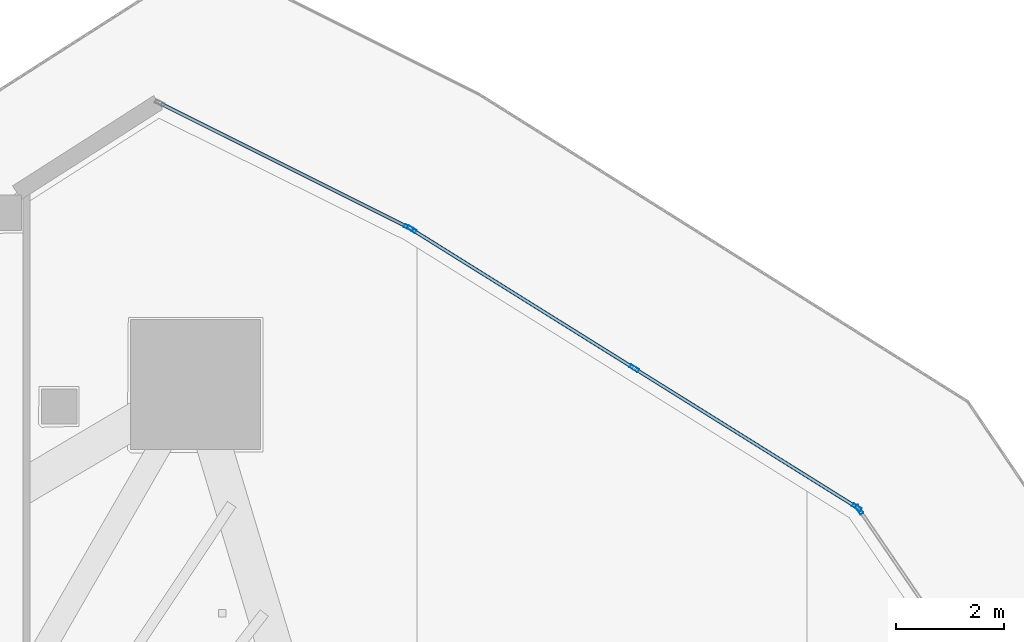
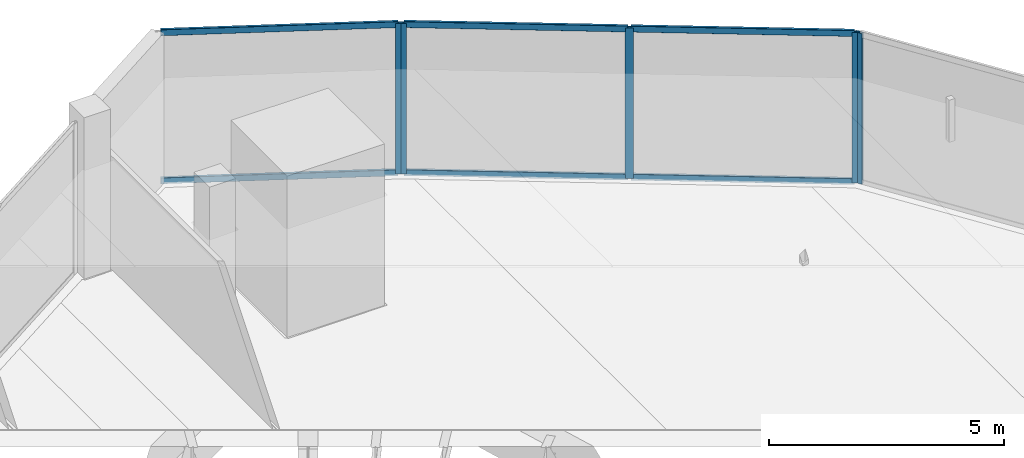
# One storey, part 22 of 44: 11 members, 3 elements without a shape of their own.
"""IFC4 building model written with IfcOpenShell, lengths in metres."""

import ifcopenshell
import ifcopenshell.guid

model = None  # the IFC model being written
_history = None  # IfcOwnerHistory: only IFC2X3 demands one
_inside = {}  # id of a spatial element -> (the spatial element, [elements in it])
_under = {}  # id of a project, library or spatial element -> (it, [spatial elements below it])
_declared = {}  # id of a project -> (the project, [libraries it declares])
_typed = {}  # id of a type object -> (the type object, [elements of that type])
_made_of = {}  # id of a material, layer set ... -> (it, [elements and type objects made of it])


def new_model(schema):
    """Start an empty IFC model of exactly this schema.

    Asked for "IFC4X3", IfcOpenShell would pick the latest addendum, in which some entities
    have other attributes; the version numbers below select the first issue.
    IFC2X3 requires an IfcOwnerHistory on every rooted entity: one is made here for all.
    """
    global model, _history
    if schema == "IFC4X3":
        model = ifcopenshell.file(schema_version=(4, 3, 0, 0))
    else:
        model = ifcopenshell.file(schema=schema)
    _inside.clear()
    _under.clear()
    _declared.clear()
    _typed.clear()
    _made_of.clear()
    _history = None
    if model.schema == "IFC2X3":
        org = make("IfcOrganization", Name="unknown")
        user = make(
            "IfcPersonAndOrganization",
            ThePerson=make("IfcPerson", FamilyName="unknown"),
            TheOrganization=org,
        )
        app = make(
            "IfcApplication",
            ApplicationDeveloper=org,
            Version="unknown",
            ApplicationFullName="unknown",
            ApplicationIdentifier="unknown",
        )
        _history = make(
            "IfcOwnerHistory",
            OwningUser=user,
            OwningApplication=app,
            ChangeAction="ADDED",
            CreationDate=0,
        )
    return model


def make(cls, **values):
    """One entity of the class cls with the attributes given. An attribute that is None is left unset."""
    return model.create_entity(
        cls, **{name: value for name, value in values.items() if value is not None}
    )


def rooted(cls, **values):
    """An entity with a GlobalId (a new one), such as an element, a storey or a relation."""
    return make(cls, GlobalId=ifcopenshell.guid.new(), OwnerHistory=_history, **values)


def si_unit(unit_type, name, prefix=None):
    """IfcSIUnit, for example si_unit("LENGTHUNIT", "METRE", prefix="MILLI")."""
    return make("IfcSIUnit", UnitType=unit_type, Prefix=prefix, Name=name)


def assignment(units):
    """IfcUnitAssignment: the units of a project."""
    return None if units is None else make("IfcUnitAssignment", Units=units)


def point(xyz):
    """IfcCartesianPoint."""
    return None if xyz is None else make("IfcCartesianPoint", Coordinates=xyz)


def direction(xyz):
    """IfcDirection."""
    return None if xyz is None else make("IfcDirection", DirectionRatios=xyz)


def frame(location, z_axis=None, x_axis=None):
    """IfcAxis2Placement3D, a coordinate frame: its origin and axes. An axis left out is left unset."""
    return make(
        "IfcAxis2Placement3D",
        Location=point(location),
        Axis=direction(z_axis),
        RefDirection=direction(x_axis),
    )


def frame_2d(location, x_axis=None):
    """IfcAxis2Placement2D, a coordinate frame in the plane: its origin and x axis."""
    return make(
        "IfcAxis2Placement2D", Location=point(location), RefDirection=direction(x_axis)
    )


def origin():
    """The frame at (0, 0, 0) with its axes left unset."""
    return frame((0.0, 0.0, 0.0))


def origin_2d():
    """The frame at (0, 0) in the plane with its x axis left unset."""
    return frame_2d((0.0, 0.0))


def place(relative_to, where):
    """IfcLocalPlacement: puts the frame where relative to a parent placement (None: the world)."""
    return make(
        "IfcLocalPlacement", PlacementRelTo=relative_to, RelativePlacement=where
    )


def context(
    kind, dimensions, precision=None, world=None, true_north=None, identifier=None
):
    """IfcGeometricRepresentationContext, for example the 3D "Model" context."""
    return make(
        "IfcGeometricRepresentationContext",
        ContextIdentifier=identifier,
        ContextType=kind,
        CoordinateSpaceDimension=dimensions,
        Precision=precision,
        WorldCoordinateSystem=world,
        TrueNorth=true_north,
    )


def subcontext(parent, identifier, kind, view, scale=None):
    """IfcGeometricRepresentationSubContext, for example "Body" below "Model"."""
    return make(
        "IfcGeometricRepresentationSubContext",
        ContextIdentifier=identifier,
        ContextType=kind,
        ParentContext=parent,
        TargetScale=scale,
        TargetView=view,
    )


def project(units=None, contexts=None):
    """IfcProject with its units and contexts."""
    return rooted(
        "IfcProject",
        Name="project",
        RepresentationContexts=contexts,
        UnitsInContext=assignment(units),
    )


def spatial(cls, under=None, at=None, **own):
    """A site, building, storey or space (cls), placed at a placement, below another one or the project."""
    s = rooted(cls, ObjectPlacement=at, **own)
    if under is not None:
        _under.setdefault(under.id(), (under, []))[1].append(s)
    return s


def profile(cls, at=None, kind="AREA", **sizes):
    """A parametric profile (cls). Its sizes go by their IFC names, for example OverallWidth=200.0."""
    return make(cls, ProfileType=kind, Position=at, **sizes)


def hollow_rectangle(**sizes):
    """IfcRectangleHollowProfileDef."""
    return profile("IfcRectangleHollowProfileDef", **sizes)


def extrude(swept, where, along, depth):
    """IfcExtrudedAreaSolid: the profile swept, set in the frame where, extruded along a direction by depth."""
    return make(
        "IfcExtrudedAreaSolid",
        SweptArea=swept,
        Position=where,
        ExtrudedDirection=direction(along),
        Depth=depth,
    )


def shape(context_of_items, identifier, shape_type, items):
    """IfcShapeRepresentation: the items that make up one representation, for example the "Body"."""
    return make(
        "IfcShapeRepresentation",
        ContextOfItems=context_of_items,
        RepresentationIdentifier=identifier,
        RepresentationType=shape_type,
        Items=items,
    )


def material(Name=None, Category=None):
    """IfcMaterial."""
    return make("IfcMaterial", Name=Name, Category=Category)


def layer(
    of_material, thickness, ventilated=None, Name=None, Category=None, Priority=None
):
    """IfcMaterialLayer: one layer of a wall or slab, of a material (None: an air gap)."""
    return make(
        "IfcMaterialLayer",
        Material=of_material,
        LayerThickness=thickness,
        IsVentilated=ventilated,
        Name=Name,
        Category=Category,
        Priority=Priority,
    )


def layer_set(layers, Name=None):
    """IfcMaterialLayerSet."""
    return make("IfcMaterialLayerSet", MaterialLayers=layers, LayerSetName=Name)


def material_profile(
    of_material, cross_section, Name=None, Category=None, Priority=None
):
    """IfcMaterialProfile: a cross section and its material."""
    return make(
        "IfcMaterialProfile",
        Name=Name,
        Material=of_material,
        Profile=cross_section,
        Priority=Priority,
        Category=Category,
    )


def profile_set(profiles, Name=None, composite=None):
    """IfcMaterialProfileSet."""
    return make(
        "IfcMaterialProfileSet",
        Name=Name,
        MaterialProfiles=profiles,
        CompositeProfile=composite,
    )


def made_of(thing, what):
    """Note that an element or type object is made of a material, layer set ...; save() writes the relation."""
    if what is not None:
        _made_of.setdefault(what.id(), (what, []))[1].append(thing)
    return thing


def type_object(cls, material=None, **own):
    """A type object (cls), such as IfcWallType, which elements share."""
    return made_of(rooted(cls, **own), material)


def element(
    cls,
    number,
    at=None,
    inside=None,
    cuts=None,
    type_object=None,
    material=None,
    context=None,
    identifier="Body",
    shape_type=None,
    held_by="IfcProductDefinitionShape",
    body=None,
    shapes=None,
    **own,
):
    """One element of the class cls, such as IfcWall. Its Tag is "e" and its number.

    at: its placement. inside: the storey or other place that contains it. cuts: it is an
    opening in that element (IfcRelVoidsElement). A single representation is given by context,
    identifier, shape_type and body (its items); several are given by shapes. held_by: the class
    of the entity that holds the representations. save() writes the other relations.
    """
    e = rooted(cls, Tag="e%d" % number, ObjectPlacement=at, **own)
    if body is not None:
        shapes = [shape(context, identifier, shape_type, body)]
    if shapes is not None:
        e.Representation = make(held_by, Representations=shapes)
    if inside is not None:
        _inside.setdefault(inside.id(), (inside, []))[1].append(e)
    if cuts is not None:
        rooted(
            "IfcRelVoidsElement", RelatingBuildingElement=cuts, RelatedOpeningElement=e
        )
    if type_object is not None:
        _typed.setdefault(type_object.id(), (type_object, []))[1].append(e)
    return made_of(e, material)


def aggregate(whole, parts):
    """IfcRelAggregates: a whole, such as a stair, and the parts it consists of."""
    return rooted("IfcRelAggregates", RelatingObject=whole, RelatedObjects=parts)


def save(model, path):
    """Write the relations noted so far, then the file.

    IfcRelAggregates (storeys below a building ...), IfcRelContainedInSpatialStructure (elements
    in a storey), IfcRelDefinesByType, IfcRelAssociatesMaterial and IfcRelDeclares: one each for
    every whole, place, type object, material and project.
    """
    for whole, parts in _under.values():
        aggregate(whole, parts)
    for where, things in _inside.values():
        rooted(
            "IfcRelContainedInSpatialStructure",
            RelatedElements=things,
            RelatingStructure=where,
        )
    for kind, things in _typed.values():
        rooted("IfcRelDefinesByType", RelatedObjects=things, RelatingType=kind)
    for what, things in _made_of.values():
        rooted("IfcRelAssociatesMaterial", RelatedObjects=things, RelatingMaterial=what)
    for by, libraries in _declared.values():
        rooted("IfcRelDeclares", RelatingContext=by, RelatedDefinitions=libraries)
    model.write(path)


model = new_model("IFC4")

# Units and contexts
model_context = context("Model", 3, precision=1e-05, world=origin(), true_north=direction((0.0, 1.0)))
body_context = subcontext(model_context, "Body", "Model", "MODEL_VIEW")
ifc_project = project(units=[si_unit("LENGTHUNIT", "METRE"), si_unit("AREAUNIT", "SQUARE_METRE"), si_unit("VOLUMEUNIT", "CUBIC_METRE"), si_unit("PLANEANGLEUNIT", "RADIAN"), si_unit("MASSUNIT", "GRAM", prefix="KILO")], contexts=[model_context])

# Site, building, storey
site_placement = place(None, origin())
site = spatial("IfcSite", under=ifc_project, at=site_placement, CompositionType="ELEMENT")
building_placement = place(site_placement, origin())
building = spatial("IfcBuilding", under=site, at=building_placement, Name="Qorvath Tower", CompositionType="ELEMENT")
storey_placement = place(building_placement, frame((0.0, 0.0, 70.199951171875)))
storey = spatial("IfcBuildingStorey", under=building, at=storey_placement, Name="L15", CompositionType="ELEMENT", Elevation=70.199951171875)

# Curtain wall, member
ifc_material_1 = material(Name="Anodised aluminium and triple low-E glass", Category="aluminium")
ifc_layer = layer(ifc_material_1, 0.179931640625)
ifc_layer_set = layer_set([ifc_layer], Name="CW-SYS-2")
curtain_wall_type = type_object("IfcCurtainWallType", Name="CW-SYS-2", PredefinedType="NOTDEFINED", material=ifc_layer_set)
curtain_wall_1_placement = place(storey_placement, origin())
curtain_wall_1 = element("IfcCurtainWall", 1, at=curtain_wall_1_placement, inside=storey, type_object=curtain_wall_type, Name="Curtain Wall CW-2 CW-T-L15-13.1", PredefinedType="NOTDEFINED")
ifc_material_2 = material(Name="Anodised aluminium 6063-T6", Category="aluminium")
ifc_material_profile_1 = material_profile(ifc_material_2, hollow_rectangle(XDim=0.06494140625, YDim=0.179931640625, WallThickness=0.00341796875, InnerFilletRadius=0.00341796875, OuterFilletRadius=0.007080078125, at=origin_2d()), Name="CWM 180x65")
ifc_profile_set_1 = profile_set([ifc_material_profile_1], Name="Anodised aluminium 6063-T6")
member_type_1 = type_object("IfcMemberType", Name="CWM-180", PredefinedType="MULLION", material=ifc_profile_set_1)
member_1_placement = place(storey_placement, frame((-2.224853515625, 25.023681640625, 0.0), z_axis=(0.0, 0.0, 1.0), x_axis=(-0.825792265854, -0.563974408689, 0.0)))
member_1 = element("IfcMember", 2, at=member_1_placement, type_object=member_type_1, Name="CW-2 mullion 2", PredefinedType="MULLION", context=body_context, shape_type="SweptSolid", body=[
    extrude(hollow_rectangle(XDim=0.06494140625, YDim=0.179931640625, WallThickness=0.00341796875, InnerFilletRadius=0.00341796875, OuterFilletRadius=0.007080078125, at=origin_2d()), origin(), (0.0, 0.0, 1.0), 3.920166015625),
])
aggregate(curtain_wall_1, [member_1])

# Curtain wall, members
curtain_wall_2_placement = place(storey_placement, origin())
curtain_wall_2 = element("IfcCurtainWall", 3, at=curtain_wall_2_placement, inside=storey, type_object=curtain_wall_type, Name="Curtain Wall CW-2 CW-T-L15-14.1", PredefinedType="NOTDEFINED")
member_2_placement = place(storey_placement, frame((-2.270751953125, 25.067626953125, 0.0), z_axis=(0.0, 0.0, 1.0), x_axis=(-0.529686145055, -0.848193720642, 0.0)))
member_2 = element("IfcMember", 4, at=member_2_placement, type_object=member_type_1, Name="CW-2 mullion 1", PredefinedType="MULLION", context=body_context, shape_type="SweptSolid", body=[
    extrude(hollow_rectangle(XDim=0.06494140625, YDim=0.179931640625, WallThickness=0.00341796875, InnerFilletRadius=0.00341796875, OuterFilletRadius=0.007080078125, at=origin_2d()), origin(), (0.0, 0.0, 1.0), 3.920166015625),
])
member_3_placement = place(storey_placement, frame((-6.375244140625, 27.630859375, 0.0), z_axis=(0.0, 0.0, 1.0), x_axis=(-0.529686145055, -0.848193720642, 0.0)))
member_3 = element("IfcMember", 5, at=member_3_placement, type_object=member_type_1, Name="CW-2 mullion 2", PredefinedType="MULLION", context=body_context, shape_type="SweptSolid", body=[
    extrude(hollow_rectangle(XDim=0.06494140625, YDim=0.179931640625, WallThickness=0.00341796875, InnerFilletRadius=0.00341796875, OuterFilletRadius=0.007080078125, at=origin_2d()), origin(), (0.0, 0.0, 1.0), 3.920166015625),
])
member_4_placement = place(storey_placement, frame((-10.4794921875, 30.194091796875, 0.0), z_axis=(0.0, 0.0, 1.0), x_axis=(-0.529686145055, -0.848193720642, 0.0)))
member_4 = element("IfcMember", 6, at=member_4_placement, type_object=member_type_1, Name="CW-2 mullion 3", PredefinedType="MULLION", context=body_context, shape_type="SweptSolid", body=[
    extrude(hollow_rectangle(XDim=0.06494140625, YDim=0.179931640625, WallThickness=0.00341796875, InnerFilletRadius=0.00341796875, OuterFilletRadius=0.007080078125, at=origin_2d()), origin(), (0.0, 0.0, 1.0), 3.920166015625),
])

# Curtain wall, member
curtain_wall_3_placement = place(storey_placement, origin())
curtain_wall_3 = element("IfcCurtainWall", 7, at=curtain_wall_3_placement, inside=storey, type_object=curtain_wall_type, Name="Curtain Wall CW-2 CW-T-L15-15.1", PredefinedType="NOTDEFINED")
member_5_placement = place(storey_placement, frame((-10.5361328125, 30.225830078125, 0.0), z_axis=(0.0, 0.0, 1.0), x_axis=(-0.447221292931, -0.894423342243, 0.0)))
member_5 = element("IfcMember", 8, at=member_5_placement, type_object=member_type_1, Name="CW-2 mullion 1", PredefinedType="MULLION", context=body_context, shape_type="SweptSolid", body=[
    extrude(hollow_rectangle(XDim=0.06494140625, YDim=0.179931640625, WallThickness=0.00341796875, InnerFilletRadius=0.00341796875, OuterFilletRadius=0.007080078125, at=origin_2d()), origin(), (0.0, 0.0, 1.0), 3.920166015625),
])

# Member
ifc_material_3 = material(Name="Anodised aluminium 6063-T6", Category="aluminium")
ifc_material_profile_2 = material_profile(ifc_material_3, hollow_rectangle(XDim=0.06494140625, YDim=0.159912109375, WallThickness=0.00341796875, InnerFilletRadius=0.00341796875, OuterFilletRadius=0.007080078125, at=origin_2d()), Name="CWT 160x65")
ifc_profile_set_2 = profile_set([ifc_material_profile_2], Name="Anodised aluminium 6063-T6")
member_type_2 = type_object("IfcMemberType", Name="CWT-160", PredefinedType="USERDEFINED", material=ifc_profile_set_2)
member_6_placement = place(storey_placement, frame((-2.29833984375, 25.0849609375, 0.032470703125), z_axis=(-0.848210840974, 0.529658729046, 0.0), x_axis=(-0.529658729046, -0.848210840974, 0.0)))
member_6 = element("IfcMember", 9, at=member_6_placement, type_object=member_type_2, Name="CW-2 transom 1.1", ObjectType="TRANSOM", PredefinedType="USERDEFINED", context=body_context, shape_type="SweptSolid", body=[
    extrude(hollow_rectangle(XDim=0.06494140625, YDim=0.159912109375, WallThickness=0.00341796875, InnerFilletRadius=0.00341796875, OuterFilletRadius=0.007080078125, at=origin_2d()), origin(), (0.0, 0.0, 1.0), 4.77392578125),
])

member_7_placement = place(storey_placement, frame((-2.29833984375, 25.0849609375, 3.8876953125), z_axis=(-0.848210840974, 0.529658729046, 0.0), x_axis=(-0.529658729046, -0.848210840974, 0.0)))
member_7 = element("IfcMember", 10, at=member_7_placement, type_object=member_type_2, Name="CW-2 transom 1.2", ObjectType="TRANSOM", PredefinedType="USERDEFINED", context=body_context, shape_type="SweptSolid", body=[
    extrude(hollow_rectangle(XDim=0.06494140625, YDim=0.159912109375, WallThickness=0.00341796875, InnerFilletRadius=0.00341796875, OuterFilletRadius=0.007080078125, at=origin_2d()), origin(), (0.0, 0.0, 1.0), 4.77392578125),
])

member_8_placement = place(storey_placement, frame((-6.40283203125, 27.64794921875, 0.032470703125), z_axis=(-0.848173516131, 0.529718497443, 0.0), x_axis=(-0.529718497443, -0.848173516131, 0.0)))
member_8 = element("IfcMember", 11, at=member_8_placement, type_object=member_type_2, Name="CW-2 transom 2.1", ObjectType="TRANSOM", PredefinedType="USERDEFINED", context=body_context, shape_type="SweptSolid", body=[
    extrude(hollow_rectangle(XDim=0.06494140625, YDim=0.159912109375, WallThickness=0.00341796875, InnerFilletRadius=0.00341796875, OuterFilletRadius=0.007080078125, at=origin_2d()), origin(), (0.0, 0.0, 1.0), 4.77392578125),
])

member_9_placement = place(storey_placement, frame((-6.40283203125, 27.64794921875, 3.8876953125), z_axis=(-0.848173516131, 0.529718497443, 0.0), x_axis=(-0.529718497443, -0.848173516131, 0.0)))
member_9 = element("IfcMember", 12, at=member_9_placement, type_object=member_type_2, Name="CW-2 transom 2.2", ObjectType="TRANSOM", PredefinedType="USERDEFINED", context=body_context, shape_type="SweptSolid", body=[
    extrude(hollow_rectangle(XDim=0.06494140625, YDim=0.159912109375, WallThickness=0.00341796875, InnerFilletRadius=0.00341796875, OuterFilletRadius=0.007080078125, at=origin_2d()), origin(), (0.0, 0.0, 1.0), 4.77392578125),
])

aggregate(curtain_wall_2, [member_2, member_3, member_4, member_6, member_7, member_8, member_9])

member_10_placement = place(storey_placement, frame((-10.565185546875, 30.240234375, 0.032470703125), z_axis=(-0.894427191, 0.4472135955, 0.0), x_axis=(-0.4472135955, -0.894427191, 0.0)))
member_10 = element("IfcMember", 13, at=member_10_placement, type_object=member_type_2, Name="CW-2 transom 1.1", ObjectType="TRANSOM", PredefinedType="USERDEFINED", context=body_context, shape_type="SweptSolid", body=[
    extrude(hollow_rectangle(XDim=0.06494140625, YDim=0.159912109375, WallThickness=0.00341796875, InnerFilletRadius=0.00341796875, OuterFilletRadius=0.007080078125, at=origin_2d()), origin(), (0.0, 0.0, 1.0), 5.066650390625),
])

member_11_placement = place(storey_placement, frame((-10.565185546875, 30.240234375, 3.8876953125), z_axis=(-0.894427191, 0.4472135955, 0.0), x_axis=(-0.4472135955, -0.894427191, 0.0)))
member_11 = element("IfcMember", 14, at=member_11_placement, type_object=member_type_2, Name="CW-2 transom 1.2", ObjectType="TRANSOM", PredefinedType="USERDEFINED", context=body_context, shape_type="SweptSolid", body=[
    extrude(hollow_rectangle(XDim=0.06494140625, YDim=0.159912109375, WallThickness=0.00341796875, InnerFilletRadius=0.00341796875, OuterFilletRadius=0.007080078125, at=origin_2d()), origin(), (0.0, 0.0, 1.0), 5.066650390625),
])

aggregate(curtain_wall_3, [member_5, member_10, member_11])

save(model, "model.ifc")
